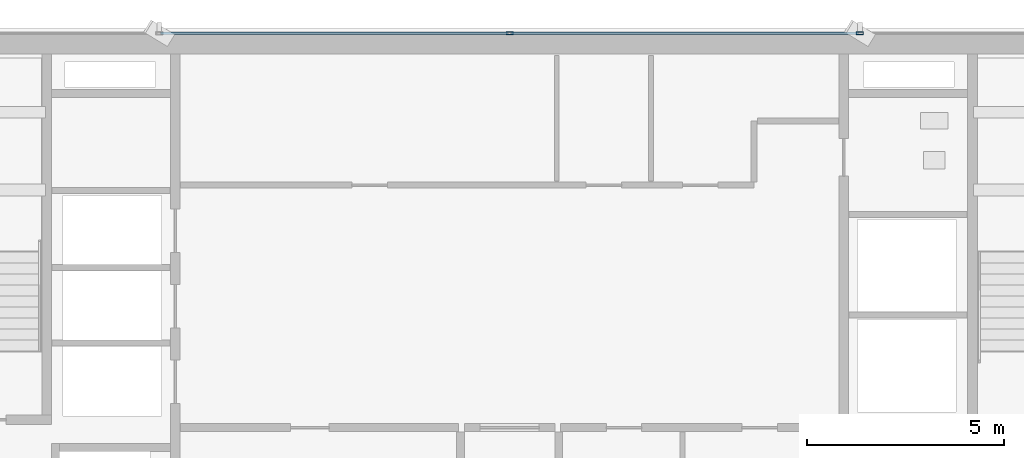
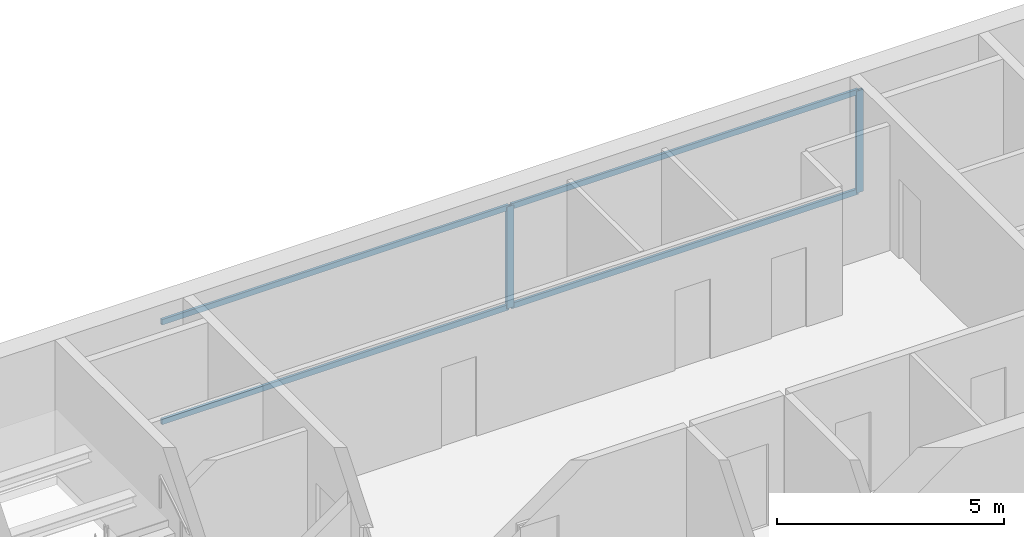
# One storey, part 12 of 22: 6 members, 1 element without a shape of its own.
"""IFC4 building model written with IfcOpenShell, lengths in metres."""

from ifc_helpers import new_model, si_unit, direction, frame, origin, origin_2d, place, context, subcontext, project, spatial, hollow_rectangle, extrude, source, transform, mapped, material, layer, layer_set, material_profile, profile_set, type_object, element, aggregate, save


model = new_model("IFC4")

# Units and contexts
model_context = context("Model", 3, precision=1e-05, world=origin(), true_north=direction((0.0, 1.0)))
body_context = subcontext(model_context, "Body", "Model", "MODEL_VIEW")
ifc_project = project(units=[si_unit("LENGTHUNIT", "METRE"), si_unit("AREAUNIT", "SQUARE_METRE"), si_unit("VOLUMEUNIT", "CUBIC_METRE"), si_unit("PLANEANGLEUNIT", "RADIAN"), si_unit("MASSUNIT", "GRAM", prefix="KILO")], contexts=[model_context])

# Site, building, storey
site_placement = place(None, origin())
site = spatial("IfcSite", under=ifc_project, at=site_placement, CompositionType="ELEMENT")
building_placement = place(site_placement, origin())
building = spatial("IfcBuilding", under=site, at=building_placement, Name="Sumidabori Civic Tower", CompositionType="ELEMENT")
storey_placement = place(building_placement, frame((0.0, 0.0, 279.199951171875)))
storey = spatial("IfcBuildingStorey", under=building, at=storey_placement, Name="L73", CompositionType="ELEMENT", Elevation=279.199951171875)

# Curtain wall, members
ifc_material = material(Name="Anodised Bronze Aluminium AW-6063-T6", Category="aluminium")
ifc_layer = layer(ifc_material, 0.179931640625, Name="Anodised Bronze Aluminium AW-6063-T6")
ifc_layer_set = layer_set([ifc_layer], Name="Anodised Bronze Aluminium AW-6063-T6")
curtain_wall_type = type_object("IfcCurtainWallType", Name="CW-SYS-6", PredefinedType="NOTDEFINED", material=ifc_layer_set)
curtain_wall_placement = place(storey_placement, origin())
curtain_wall = element("IfcCurtainWall", 1, at=curtain_wall_placement, inside=storey, type_object=curtain_wall_type, Name="Curtain Wall CW:L73:R07", PredefinedType="NOTDEFINED")
ifc_material_profile_1 = material_profile(ifc_material, hollow_rectangle(XDim=0.070068359375, YDim=0.179931640625, WallThickness=0.006103515625, at=origin_2d()), Name="ALU MULLION 180x70")
ifc_profile_set_1 = profile_set([ifc_material_profile_1], Name="Anodised Bronze Aluminium AW-6063-T6")
member_type_1 = type_object("IfcMemberType", Name="CW-MUL-180", PredefinedType="MULLION", material=ifc_profile_set_1)
shared_shape_1 = source(origin(), body_context, "Body", "SweptSolid", [
    extrude(hollow_rectangle(XDim=0.070068359375, YDim=0.179931640625, WallThickness=0.006103515625, at=origin_2d()), origin(), (0.0, 0.0, 1.0), 2.75),
])
member_1_placement = place(storey_placement, frame((8.909912109375, 24.080078125, 0.0), z_axis=(0.0, 0.0, 1.0), x_axis=(0.0, -1.0, 0.0)))
member_1 = element("IfcMember", 2, at=member_1_placement, type_object=member_type_1, Name="CW-6 mullion 2", PredefinedType="MULLION", context=body_context, shape_type="MappedRepresentation", body=[
    mapped(shared_shape_1, transform((0.0, 0.0, 0.0), x_axis=(1.0, 0.0, 0.0), y_axis=(0.0, 1.0, 0.0), z_axis=(0.0, 0.0, 1.0), scale=1.0)),
])
member_2_placement = place(storey_placement, frame((0.0, 24.080078125, 0.0), z_axis=(0.0, 0.0, 1.0), x_axis=(0.0, -1.0, 0.0)))
member_2 = element("IfcMember", 3, at=member_2_placement, type_object=member_type_1, Name="CW-6 mullion 3", PredefinedType="MULLION", context=body_context, shape_type="MappedRepresentation", body=[
    mapped(shared_shape_1, transform((0.0, 0.0, 0.0), x_axis=(1.0, 0.0, 0.0), y_axis=(0.0, 1.0, 0.0), z_axis=(0.0, 0.0, 1.0), scale=1.0)),
])
ifc_material_profile_2 = material_profile(ifc_material, hollow_rectangle(XDim=0.06494140625, YDim=0.14990234375, WallThickness=0.0048828125, at=origin_2d()), Name="ALU TRANSOM 150x65")
ifc_profile_set_2 = profile_set([ifc_material_profile_2], Name="Anodised Bronze Aluminium AW-6063-T6")
member_type_2 = type_object("IfcMemberType", Name="CW-TRN-150", PredefinedType="USERDEFINED", material=ifc_profile_set_2)
shared_shape_2 = source(origin(), body_context, "Body", "SweptSolid", [
    extrude(hollow_rectangle(XDim=0.06494140625, YDim=0.14990234375, WallThickness=0.0048828125, at=origin_2d()), origin(), (0.0, 0.0, 1.0), 8.840087890625),
])
member_3_placement = place(storey_placement, frame((8.875, 24.080078125, 0.032470703125), z_axis=(-1.0, 0.0, 0.0), x_axis=(0.0, -1.0, 0.0)))
member_3 = element("IfcMember", 4, at=member_3_placement, type_object=member_type_2, Name="CW-6 transom 2.1", ObjectType="TRANSOM", PredefinedType="USERDEFINED", context=body_context, shape_type="MappedRepresentation", body=[
    mapped(shared_shape_2, transform((0.0, 0.0, 0.0), x_axis=(1.0, 0.0, 0.0), y_axis=(0.0, 1.0, 0.0), z_axis=(0.0, 0.0, 1.0), scale=1.0)),
])
member_4_placement = place(storey_placement, frame((8.875, 24.080078125, 2.717529296875), z_axis=(-1.0, 0.0, 0.0), x_axis=(0.0, -1.0, 0.0)))
member_4 = element("IfcMember", 5, at=member_4_placement, type_object=member_type_2, Name="CW-6 transom 2.2", ObjectType="TRANSOM", PredefinedType="USERDEFINED", context=body_context, shape_type="MappedRepresentation", body=[
    mapped(shared_shape_2, transform((0.0, 0.0, 0.0), x_axis=(1.0, 0.0, 0.0), y_axis=(0.0, 1.0, 0.0), z_axis=(0.0, 0.0, 1.0), scale=1.0)),
])
member_5_placement = place(storey_placement, frame((-0.034912109375, 24.080078125, 0.032470703125), z_axis=(-1.0, 0.0, 0.0), x_axis=(0.0, -1.0, 0.0)))
member_5 = element("IfcMember", 6, at=member_5_placement, type_object=member_type_2, Name="CW-6 transom 3.1", ObjectType="TRANSOM", PredefinedType="USERDEFINED", context=body_context, shape_type="MappedRepresentation", body=[
    mapped(shared_shape_2, transform((0.0, 0.0, 0.0), x_axis=(1.0, 0.0, 0.0), y_axis=(0.0, 1.0, 0.0), z_axis=(0.0, 0.0, 1.0), scale=1.0)),
])
member_6_placement = place(storey_placement, frame((-0.034912109375, 24.080078125, 2.717529296875), z_axis=(-1.0, 0.0, 0.0), x_axis=(0.0, -1.0, 0.0)))
member_6 = element("IfcMember", 7, at=member_6_placement, type_object=member_type_2, Name="CW-6 transom 3.2", ObjectType="TRANSOM", PredefinedType="USERDEFINED", context=body_context, shape_type="MappedRepresentation", body=[
    mapped(shared_shape_2, transform((0.0, 0.0, 0.0), x_axis=(1.0, 0.0, 0.0), y_axis=(0.0, 1.0, 0.0), z_axis=(0.0, 0.0, 1.0), scale=1.0)),
])
aggregate(curtain_wall, [member_1, member_2, member_3, member_4, member_5, member_6])

save(model, "model.ifc")
